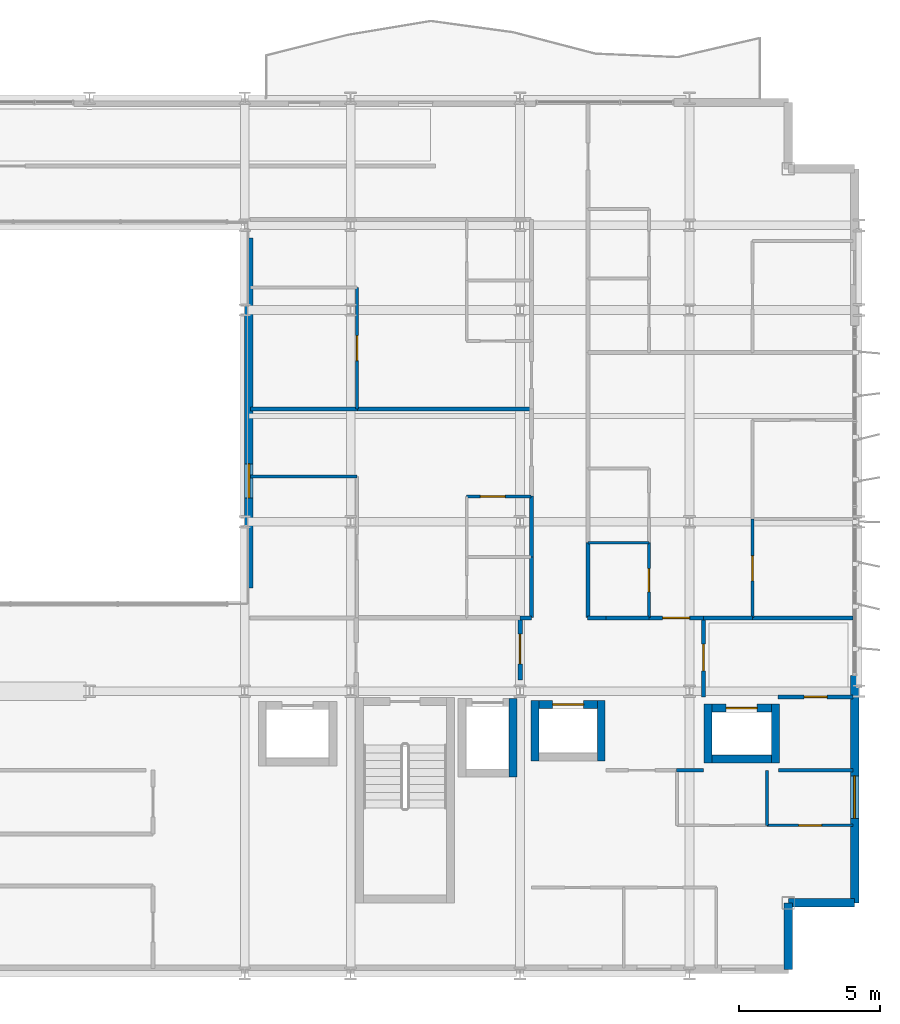
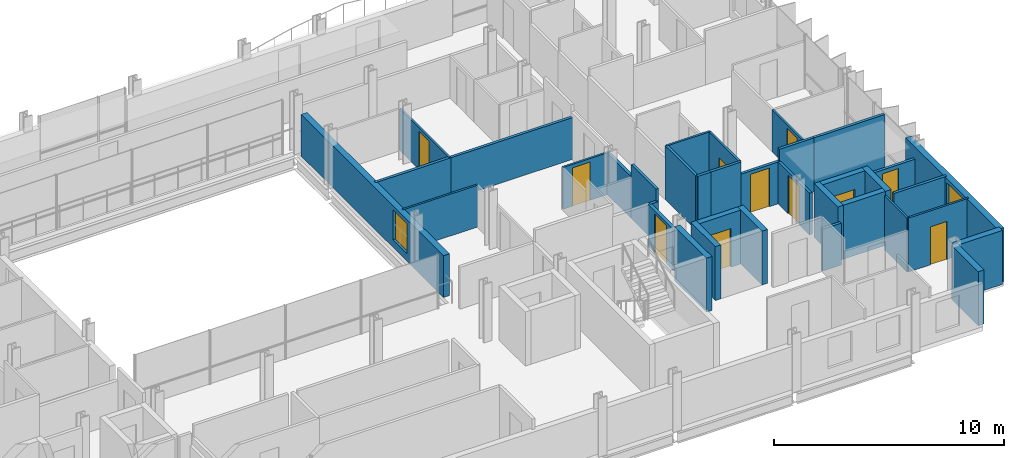
# One storey, part 31 of 38: 36 walls, 11 doors, 2 windows, 13 openings.
"""IFC4 building model written with IfcOpenShell, lengths in metres."""

from ifc_helpers import new_model, si_unit, direction, frame, frame_2d, origin, place, context, subcontext, project, spatial, rectangle, extrude, material, layer, layer_set, type_object, element, fill, save


model = new_model("IFC4")

# Units and contexts
model_context = context("Model", 3, precision=1e-05, world=origin(), true_north=direction((0.0, 1.0)))
body_context = subcontext(model_context, "Body", "Model", "MODEL_VIEW")
ifc_project = project(units=[si_unit("LENGTHUNIT", "METRE"), si_unit("AREAUNIT", "SQUARE_METRE"), si_unit("VOLUMEUNIT", "CUBIC_METRE"), si_unit("PLANEANGLEUNIT", "RADIAN"), si_unit("MASSUNIT", "GRAM", prefix="KILO")], contexts=[model_context])

# Site, building, storey
site_placement = place(None, origin())
site = spatial("IfcSite", under=ifc_project, at=site_placement, CompositionType="ELEMENT")
building_placement = place(site_placement, origin())
building = spatial("IfcBuilding", under=site, at=building_placement, Name="Brevholm Reach", CompositionType="ELEMENT")
storey_placement = place(building_placement, frame((0.0, 0.0, 65.199951171875)))
storey = spatial("IfcBuildingStorey", under=building, at=storey_placement, Name="L18", CompositionType="ELEMENT", Elevation=65.199951171875)

# Walls
ifc_material_1 = material(Name="Concrete C50/60", Category="concrete")
ifc_layer_1 = layer(ifc_material_1, 0.280029296875)
ifc_layer_set_1 = layer_set([ifc_layer_1], Name="Concrete C50/60")
wall_type_1 = type_object("IfcWallType", Name="WAL-COR-280", PredefinedType="SHEAR", material=ifc_layer_set_1)
wall_1_placement = place(storey_placement, frame((47.75, 6.9599609375, 0.0), z_axis=(0.0, 0.0, 1.0), x_axis=(0.0, 1.0, 0.0)))
element("IfcWall", 1, at=wall_1_placement, inside=storey, type_object=wall_type_1, Name="L18 Lift FFL-2 Shaft Wall E", PredefinedType="SHEAR", context=body_context, shape_type="SweptSolid", body=[
    extrude(rectangle(XDim=2.780029296875, YDim=0.280029296875, at=frame_2d((1.39013671875, 0.0))), origin(), (0.0, 0.0, 1.0), 2.8701171875),
])
for number, where, z_axis, x_axis, name in (
    (2, (48.52490234375, 7.534912109375, 0.0), (0.0, 0.0, 1.0), (0.0, 1.0, 0.0), "L18 Lift PL-L1 Shaft Wall W"),
    (3, (50.875, 7.534912109375, 0.0), (0.0, 0.0, 1.0), (0.0, 1.0, 0.0), "L18 Lift PL-L1 Shaft Wall E"),
):
    element("IfcWall", number, at=place(storey_placement, frame(where, z_axis=z_axis, x_axis=x_axis)), inside=storey, type_object=wall_type_1, Name=name, PredefinedType="SHEAR", context=body_context, shape_type="SweptSolid", body=[
        extrude(rectangle(XDim=2.130126953125, YDim=0.280029296875, at=frame_2d((1.06494140625, 0.0))), origin(), (0.0, 0.0, 1.0), 2.8701171875),
    ])

# Wall, opening, door
wall_2_placement = place(storey_placement, frame((48.6650390625, 9.52490234375, 0.0), z_axis=(0.0, 0.0, 1.0), x_axis=(1.0, 0.0, 0.0)))
wall_2 = element("IfcWall", 4, at=wall_2_placement, inside=storey, type_object=wall_type_1, Name="L18 Lift PL-L1 Shaft Wall N", PredefinedType="SHEAR", context=body_context, shape_type="SweptSolid", body=[
    extrude(rectangle(XDim=2.070068359375, YDim=0.280029296875, at=frame_2d((1.03515625, 0.0))), origin(), (0.0, 0.0, 1.0), 2.8701171875),
])
opening_1_placement = place(wall_2_placement, frame((0.485107421875, 0.0, 0.0)))
opening_1 = element("IfcOpeningElement", 5, at=opening_1_placement, cuts=wall_2, Name="Opening LD-PL-L1", PredefinedType="OPENING", context=body_context, shape_type="SweptSolid", body=[
    extrude(rectangle(XDim=1.10009765625, YDim=2.06005859375, at=frame_2d((0.550048828125, 1.030029296875))), frame((0.0, 0.14990234375, 0.0), z_axis=(0.0, -1.0, 0.0), x_axis=(1.0, 0.0, 0.0)), (0.0, 0.0, 1.0), 0.300048828125),
])
ifc_material_2 = material(Name="Brushed Stainless Steel Fire-Rated Sliding Lift Door", Category="steel")
door_type_1 = type_object("IfcDoorType", Name="DOR-LFT-1100", OperationType="NOTDEFINED", PredefinedType="DOOR", material=ifc_material_2)
door_1_placement = place(opening_1_placement, origin())
door_1 = element("IfcDoor", 6, at=door_1_placement, inside=storey, type_object=door_type_1, Name="L18 Lift PL-L1 Sliding Landing Door", OperationType="SLIDING_TO_RIGHT", OverallHeight=2.06005859375, OverallWidth=1.10009765625, PredefinedType="DOOR", context=body_context, shape_type="SweptSolid", body=[
    extrude(rectangle(XDim=1.10009765625, YDim=2.06005859375, at=frame_2d((0.550048828125, 1.030029296875))), frame((0.0, 0.02490234375, 0.0), z_axis=(0.0, -1.0, 0.0), x_axis=(1.0, 0.0, 0.0)), (0.0, 0.0, 1.0), 0.050048828125),
])
fill(opening_1, door_1)

# Walls
for number, where, z_axis, x_axis, name in (
    (7, (54.64990234375, 7.4599609375, 0.0), (0.0, 0.0, 1.0), (0.0, 1.0, 0.0), "L18 Lift PL-L2 Shaft Wall W"),
    (8, (57.050048828125, 7.4599609375, 0.0), (0.0, 0.0, 1.0), (0.0, 1.0, 0.0), "L18 Lift PL-L2 Shaft Wall E"),
):
    element("IfcWall", number, at=place(storey_placement, frame(where, z_axis=z_axis, x_axis=x_axis)), inside=storey, type_object=wall_type_1, Name=name, PredefinedType="SHEAR", context=body_context, shape_type="SweptSolid", body=[
        extrude(rectangle(XDim=2.080078125, YDim=0.280029296875, at=frame_2d((1.0400390625, 0.0))), origin(), (0.0, 0.0, 1.0), 2.8701171875),
    ])
wall_3_placement = place(storey_placement, frame((54.7900390625, 7.60009765625, 0.0), z_axis=(0.0, 0.0, 1.0), x_axis=(1.0, 0.0, 0.0)))
element("IfcWall", 9, at=wall_3_placement, inside=storey, type_object=wall_type_1, Name="L18 Lift PL-L2 Shaft Wall S", PredefinedType="SHEAR", context=body_context, shape_type="SweptSolid", body=[
    extrude(rectangle(XDim=2.119873046875, YDim=0.280029296875, at=frame_2d((1.06005859375, 0.0))), origin(), (0.0, 0.0, 1.0), 2.8701171875),
])

# Wall, opening, door
wall_4_placement = place(storey_placement, frame((54.7900390625, 9.39990234375, 0.0), z_axis=(0.0, 0.0, 1.0), x_axis=(1.0, 0.0, 0.0)))
wall_4 = element("IfcWall", 10, at=wall_4_placement, inside=storey, type_object=wall_type_1, Name="L18 Lift PL-L2 Shaft Wall N", PredefinedType="SHEAR", context=body_context, shape_type="SweptSolid", body=[
    extrude(rectangle(XDim=2.119873046875, YDim=0.280029296875, at=frame_2d((1.06005859375, 0.0))), origin(), (0.0, 0.0, 1.0), 2.8701171875),
])
opening_2_placement = place(wall_4_placement, frame((0.510009765625, 0.0, 0.0)))
opening_2 = element("IfcOpeningElement", 11, at=opening_2_placement, cuts=wall_4, Name="Opening LD-PL-L2", PredefinedType="OPENING", context=body_context, shape_type="SweptSolid", body=[
    extrude(rectangle(XDim=1.10009765625, YDim=2.06005859375, at=frame_2d((0.550048828125, 1.030029296875))), frame((0.0, 0.14990234375, 0.0), z_axis=(0.0, -1.0, 0.0), x_axis=(1.0, 0.0, 0.0)), (0.0, 0.0, 1.0), 0.300048828125),
])
door_2_placement = place(opening_2_placement, origin())
door_2 = element("IfcDoor", 12, at=door_2_placement, inside=storey, type_object=door_type_1, Name="L18 Lift PL-L2 Sliding Landing Door", OperationType="SLIDING_TO_LEFT", OverallHeight=2.06005859375, OverallWidth=1.10009765625, PredefinedType="DOOR", context=body_context, shape_type="SweptSolid", body=[
    extrude(rectangle(XDim=1.10009765625, YDim=2.06005859375, at=frame_2d((0.550048828125, 1.030029296875))), frame((0.0, 0.02490234375, 0.0), z_axis=(0.0, -1.0, 0.0), x_axis=(1.0, 0.0, 0.0)), (0.0, 0.0, 1.0), 0.050048828125),
])
fill(opening_2, door_2)

# Walls
ifc_material_3 = material(Name="Concrete C40/50", Category="concrete")
ifc_layer_2 = layer(ifc_material_3, 0.300048828125)
ifc_layer_set_2 = layer_set([ifc_layer_2], Name="Concrete C40/50")
wall_type_2 = type_object("IfcWallType", Name="WAL-EXT-300", PredefinedType="STANDARD", material=ifc_layer_set_2)
for number, where, z_axis, x_axis, name in (
    (13, (57.5, 0.14990234375, 0.0), (0.0, 0.0, 1.0), (0.0, 1.0, 0.0), "L18 Facade Wall WAL-L18-CSE1"),
    (14, (57.5, 2.5, 0.0), (0.0, 0.0, 1.0), (1.0, 0.0, 0.0), "L18 Facade Wall WAL-L18-CSE2"),
):
    element("IfcWall", number, at=place(storey_placement, frame(where, z_axis=z_axis, x_axis=x_axis)), inside=storey, type_object=wall_type_2, Name=name, PredefinedType="STANDARD", context=body_context, shape_type="SweptSolid", body=[
        extrude(rectangle(XDim=2.35009765625, YDim=0.300048828125, at=frame_2d((1.175048828125, 0.0))), origin(), (0.0, 0.0, 1.0), 2.8701171875),
    ])

# Wall, opening, window
wall_5_placement = place(storey_placement, frame((59.85009765625, 2.5, 0.0), z_axis=(0.0, 0.0, 1.0), x_axis=(0.0, 1.0, 0.0)))
wall_5 = element("IfcWall", 15, at=wall_5_placement, inside=storey, type_object=wall_type_2, Name="L18 Facade Wall WAL-L18-E-S", PredefinedType="STANDARD", context=body_context, shape_type="SweptSolid", body=[
    extrude(rectangle(XDim=8.050048828125, YDim=0.300048828125, at=frame_2d((4.02490234375, 0.0))), origin(), (0.0, 0.0, 1.0), 2.8701171875),
])
opening_3_placement = place(wall_5_placement, frame((3.0, 0.0, 0.85009765625)))
opening_3 = element("IfcOpeningElement", 16, at=opening_3_placement, cuts=wall_5, Name="Opening WN-05", PredefinedType="OPENING", context=body_context, shape_type="SweptSolid", body=[
    extrude(rectangle(XDim=1.5, YDim=1.800048828125, at=frame_2d((0.75, 0.89990234375))), frame((0.0, 0.159912109375, 0.0), z_axis=(0.0, -1.0, 0.0), x_axis=(1.0, 0.0, 0.0)), (0.0, 0.0, 1.0), 0.320068359375),
])
ifc_material_4 = material(Name="Dark Anodised Aluminium and Solar-Control IGU Glass", Category="aluminium")
window_type_1 = type_object("IfcWindowType", Name="WIN-RES-1500", PartitioningType="SINGLE_PANEL", PredefinedType="WINDOW", material=ifc_material_4)
window_1_placement = place(opening_3_placement, origin())
window_1 = element("IfcWindow", 17, at=window_1_placement, inside=storey, type_object=window_type_1, Name="L18 Window WIN-L18-ES-1", OverallHeight=1.800048828125, OverallWidth=1.5, PartitioningType="SINGLE_PANEL", PredefinedType="WINDOW", context=body_context, shape_type="SweptSolid", body=[
    extrude(rectangle(XDim=1.5, YDim=1.800048828125, at=frame_2d((0.75, 0.89990234375))), frame((0.0, 0.030029296875, 0.0), z_axis=(0.0, -1.0, 0.0), x_axis=(1.0, 0.0, 0.0)), (0.0, 0.0, 1.0), 0.06005859375),
])
fill(opening_3, window_1)

wall_6_placement = place(storey_placement, frame((38.39990234375, 13.64990234375, 0.0), z_axis=(0.0, 0.0, 1.0), x_axis=(0.0, 1.0, 0.0)))
wall_6 = element("IfcWall", 18, at=wall_6_placement, inside=storey, type_object=wall_type_2, Name="L18 Facade Wall WAL-L18-AT-E", PredefinedType="STANDARD", context=body_context, shape_type="SweptSolid", body=[
    extrude(rectangle(XDim=12.400146484375, YDim=0.300048828125, at=frame_2d((6.2001953125, 0.0))), origin(), (0.0, 0.0, 1.0), 2.224853515625),
])
opening_4_placement = place(wall_6_placement, frame((3.199951171875, 0.0, 0.405029296875)))
opening_4 = element("IfcOpeningElement", 19, at=opening_4_placement, cuts=wall_6, Name="Opening WN-08", PredefinedType="OPENING", context=body_context, shape_type="SweptSolid", body=[
    extrude(rectangle(XDim=1.199951171875, YDim=1.60009765625, at=frame_2d((0.60009765625, 0.800048828125))), frame((0.0, 0.159912109375, 0.0), z_axis=(0.0, -1.0, 0.0), x_axis=(1.0, 0.0, 0.0)), (0.0, 0.0, 1.0), 0.320068359375),
])
ifc_material_5 = material(Name="Dark Anodised Aluminium and Solar-Control IGU Glass", Category="aluminium")
window_type_2 = type_object("IfcWindowType", Name="WIN-RES-1200", PartitioningType="SINGLE_PANEL", PredefinedType="WINDOW", material=ifc_material_5)
window_2_placement = place(opening_4_placement, origin())
window_2 = element("IfcWindow", 20, at=window_2_placement, inside=storey, type_object=window_type_2, Name="L18 Window WIN-L18-AT-E1", OverallHeight=1.60009765625, OverallWidth=1.199951171875, PartitioningType="SINGLE_PANEL", PredefinedType="WINDOW", context=body_context, shape_type="SweptSolid", body=[
    extrude(rectangle(XDim=1.199951171875, YDim=1.60009765625, at=frame_2d((0.60009765625, 0.800048828125))), frame((0.0, 0.030029296875, 0.0), z_axis=(0.0, -1.0, 0.0), x_axis=(1.0, 0.0, 0.0)), (0.0, 0.0, 1.0), 0.06005859375),
])
fill(opening_4, window_2)

# Wall
ifc_material_6 = material(Name="Moisture-Resistant Acoustic Gypsum Stud Partition 100 mm", Category="gypsum")
ifc_layer_3 = layer(ifc_material_6, 0.10009765625)
ifc_layer_set_3 = layer_set([ifc_layer_3], Name="Moisture-Resistant Acoustic Gypsum Stud Partition 100 mm")
wall_type_3 = type_object("IfcWallType", Name="WAL-PRT-100", PredefinedType="PARTITIONING", material=ifc_layer_set_3)
wall_7_placement = place(storey_placement, frame((56.75, 5.25, 0.0), z_axis=(0.0, 0.0, 1.0), x_axis=(0.0, 1.0, 0.0)))
element("IfcWall", 21, at=wall_7_placement, inside=storey, type_object=wall_type_3, Name="L18 Internal Partition 081", PredefinedType="PARTITIONING", context=body_context, shape_type="SweptSolid", body=[
    extrude(rectangle(XDim=1.949951171875, YDim=0.10009765625, at=frame_2d((0.97509765625, 0.0))), origin(), (0.0, 0.0, 1.0), 2.8701171875),
])

# Wall, opening, door
wall_8_placement = place(storey_placement, frame((56.75, 5.25, 0.0), z_axis=(0.0, 0.0, 1.0), x_axis=(1.0, 0.0, 0.0)))
wall_8 = element("IfcWall", 22, at=wall_8_placement, inside=storey, type_object=wall_type_3, Name="L18 Internal Partition 082", PredefinedType="PARTITIONING", context=body_context, shape_type="SweptSolid", body=[
    extrude(rectangle(XDim=3.050048828125, YDim=0.10009765625, at=frame_2d((1.52490234375, 0.0))), origin(), (0.0, 0.0, 1.0), 2.8701171875),
])
opening_5_placement = place(wall_8_placement, frame((1.114990234375, 0.0, 0.0)))
opening_5 = element("IfcOpeningElement", 23, at=opening_5_placement, cuts=wall_8, Name="Opening ID-03", PredefinedType="OPENING", context=body_context, shape_type="SweptSolid", body=[
    extrude(rectangle(XDim=0.820068359375, YDim=2.02001953125, at=frame_2d((0.41015625, 1.010009765625))), frame((0.0, 0.06005859375, 0.0), z_axis=(0.0, -1.0, 0.0), x_axis=(1.0, 0.0, 0.0)), (0.0, 0.0, 1.0), 0.1201171875),
])
ifc_material_7 = material(Name="Moisture-Resistant Painted Timber Internal Bathroom Door", Category="wood")
door_type_2 = type_object("IfcDoorType", Name="DOR-BATH-820", OperationType="NOTDEFINED", PredefinedType="DOOR", material=ifc_material_7)
door_3_placement = place(opening_5_placement, origin())
door_3 = element("IfcDoor", 24, at=door_3_placement, inside=storey, type_object=door_type_2, Name="L18 Internal Door 028", OperationType="SINGLE_SWING_RIGHT", OverallHeight=2.02001953125, OverallWidth=0.820068359375, PredefinedType="DOOR", context=body_context, shape_type="SweptSolid", body=[
    extrude(rectangle(XDim=0.820068359375, YDim=2.02001953125, at=frame_2d((0.41015625, 1.010009765625))), frame((0.0, 0.02490234375, 0.0), z_axis=(0.0, -1.0, 0.0), x_axis=(1.0, 0.0, 0.0)), (0.0, 0.0, 1.0), 0.050048828125),
])
fill(opening_5, door_3)

wall_9_placement = place(storey_placement, frame((46.112060546875, 16.89990234375, 0.0), z_axis=(0.0, 0.0, 1.0), x_axis=(1.0, 0.0, 0.0)))
wall_9 = element("IfcWall", 25, at=wall_9_placement, inside=storey, type_object=wall_type_3, Name="L18 Internal Partition 124", PredefinedType="PARTITIONING", context=body_context, shape_type="SweptSolid", body=[
    extrude(rectangle(XDim=2.283935546875, YDim=0.10009765625, at=frame_2d((1.14208984375, 0.0))), origin(), (0.0, 0.0, 1.0), 2.224853515625),
])
opening_6_placement = place(wall_9_placement, frame((0.48193359375, 0.0, 0.0)))
opening_6 = element("IfcOpeningElement", 26, at=opening_6_placement, cuts=wall_9, Name="Opening ID-01", PredefinedType="OPENING", context=body_context, shape_type="SweptSolid", body=[
    extrude(rectangle(XDim=0.8798828125, YDim=2.0400390625, at=frame_2d((0.43994140625, 1.02001953125))), frame((0.0, 0.06005859375, 0.0), z_axis=(0.0, -1.0, 0.0), x_axis=(1.0, 0.0, 0.0)), (0.0, 0.0, 1.0), 0.1201171875),
])
ifc_material_8 = material(Name="Lacquered Ash Solid-Core Acoustic Internal Door", Category="timber")
door_type_3 = type_object("IfcDoorType", Name="DOR-INT-880", OperationType="NOTDEFINED", PredefinedType="DOOR", material=ifc_material_8)
door_4_placement = place(opening_6_placement, origin())
door_4 = element("IfcDoor", 27, at=door_4_placement, inside=storey, type_object=door_type_3, Name="L18 Internal Door 048", OperationType="SINGLE_SWING_RIGHT", OverallHeight=2.0400390625, OverallWidth=0.8798828125, PredefinedType="DOOR", context=body_context, shape_type="SweptSolid", body=[
    extrude(rectangle(XDim=0.8798828125, YDim=2.0400390625, at=frame_2d((0.43994140625, 1.02001953125))), frame((0.0, 0.02490234375, 0.0), z_axis=(0.0, -1.0, 0.0), x_axis=(1.0, 0.0, 0.0)), (0.0, 0.0, 1.0), 0.050048828125),
])
fill(opening_6, door_4)

# Wall
wall_10_placement = place(storey_placement, frame((38.449951171875, 17.60009765625, 0.0), z_axis=(0.0, 0.0, 1.0), x_axis=(1.0, 0.0, 0.0)))
element("IfcWall", 28, at=wall_10_placement, inside=storey, type_object=wall_type_3, Name="L18 Internal Partition 127", PredefinedType="PARTITIONING", context=body_context, shape_type="SweptSolid", body=[
    extrude(rectangle(XDim=3.781005859375, YDim=0.10009765625, at=frame_2d((1.890625, 0.0))), origin(), (0.0, 0.0, 1.0), 2.224853515625),
])

# Wall, opening, door
wall_11_placement = place(storey_placement, frame((42.23095703125, 20.00390625, 0.0), z_axis=(0.0, 0.0, 1.0), x_axis=(0.0, 1.0, 0.0)))
wall_11 = element("IfcWall", 29, at=wall_11_placement, inside=storey, type_object=wall_type_3, Name="L18 Internal Partition 134", PredefinedType="PARTITIONING", context=body_context, shape_type="SweptSolid", body=[
    extrude(rectangle(XDim=4.296142578125, YDim=0.10009765625, at=frame_2d((2.14794921875, 0.0))), origin(), (0.0, 0.0, 1.0), 2.224853515625),
])
opening_7_placement = place(wall_11_placement, frame((1.7080078125, 0.0, 0.0)))
opening_7 = element("IfcOpeningElement", 30, at=opening_7_placement, cuts=wall_11, Name="Opening ID-01", PredefinedType="OPENING", context=body_context, shape_type="SweptSolid", body=[
    extrude(rectangle(XDim=0.8798828125, YDim=2.0400390625, at=frame_2d((0.43994140625, 1.02001953125))), frame((0.0, 0.06005859375, 0.0), z_axis=(0.0, -1.0, 0.0), x_axis=(1.0, 0.0, 0.0)), (0.0, 0.0, 1.0), 0.1201171875),
])
door_5_placement = place(opening_7_placement, origin())
door_5 = element("IfcDoor", 31, at=door_5_placement, inside=storey, type_object=door_type_3, Name="L18 Internal Door 052", OperationType="SINGLE_SWING_RIGHT", OverallHeight=2.0400390625, OverallWidth=0.8798828125, PredefinedType="DOOR", context=body_context, shape_type="SweptSolid", body=[
    extrude(rectangle(XDim=0.8798828125, YDim=2.0400390625, at=frame_2d((0.43994140625, 1.02001953125))), frame((0.0, 0.02490234375, 0.0), z_axis=(0.0, -1.0, 0.0), x_axis=(1.0, 0.0, 0.0)), (0.0, 0.0, 1.0), 0.050048828125),
])
fill(opening_7, door_5)

# Wall
wall_12_placement = place(storey_placement, frame((50.404052734375, 15.258056640625, 0.0), z_axis=(0.0, 0.0, 1.0), x_axis=(1.0, 0.0, 0.0)))
element("IfcWall", 32, at=wall_12_placement, inside=storey, type_object=wall_type_3, Name="L18 Internal Partition 136", PredefinedType="PARTITIONING", context=body_context, shape_type="SweptSolid", body=[
    extrude(rectangle(XDim=2.157958984375, YDim=0.10009765625, at=frame_2d((1.0791015625, 0.0))), origin(), (0.0, 0.0, 1.0), 2.8701171875),
])

# Wall, opening, door
wall_13_placement = place(storey_placement, frame((52.56201171875, 12.60400390625, 0.0), z_axis=(0.0, 0.0, 1.0), x_axis=(0.0, 1.0, 0.0)))
wall_13 = element("IfcWall", 33, at=wall_13_placement, inside=storey, type_object=wall_type_3, Name="L18 Internal Partition 137", PredefinedType="PARTITIONING", context=body_context, shape_type="SweptSolid", body=[
    extrude(rectangle(XDim=2.654052734375, YDim=0.10009765625, at=frame_2d((1.3271484375, 0.0))), origin(), (0.0, 0.0, 1.0), 2.8701171875),
])
opening_8_placement = place(wall_13_placement, frame((0.9169921875, 0.0, 0.0)))
opening_8 = element("IfcOpeningElement", 34, at=opening_8_placement, cuts=wall_13, Name="Opening ID-03", PredefinedType="OPENING", context=body_context, shape_type="SweptSolid", body=[
    extrude(rectangle(XDim=0.820068359375, YDim=2.02001953125, at=frame_2d((0.41015625, 1.010009765625))), frame((0.0, 0.06005859375, 0.0), z_axis=(0.0, -1.0, 0.0), x_axis=(1.0, 0.0, 0.0)), (0.0, 0.0, 1.0), 0.1201171875),
])
door_6_placement = place(opening_8_placement, origin())
door_6 = element("IfcDoor", 35, at=door_6_placement, inside=storey, type_object=door_type_2, Name="L18 Internal Door 053", OperationType="SINGLE_SWING_LEFT", OverallHeight=2.02001953125, OverallWidth=0.820068359375, PredefinedType="DOOR", context=body_context, shape_type="SweptSolid", body=[
    extrude(rectangle(XDim=0.820068359375, YDim=2.02001953125, at=frame_2d((0.41015625, 1.010009765625))), frame((0.0, 0.02490234375, 0.0), z_axis=(0.0, -1.0, 0.0), x_axis=(1.0, 0.0, 0.0)), (0.0, 0.0, 1.0), 0.050048828125),
])
fill(opening_8, door_6)

wall_14_placement = place(storey_placement, frame((56.22802734375, 12.60400390625, 0.0), z_axis=(0.0, 0.0, 1.0), x_axis=(0.0, 1.0, 0.0)))
wall_14 = element("IfcWall", 36, at=wall_14_placement, inside=storey, type_object=wall_type_3, Name="L18 Internal Partition 141", PredefinedType="PARTITIONING", context=body_context, shape_type="SweptSolid", body=[
    extrude(rectangle(XDim=3.49609375, YDim=0.10009765625, at=frame_2d((1.748046875, 0.0))), origin(), (0.0, 0.0, 1.0), 2.224853515625),
])
opening_9_placement = place(wall_14_placement, frame((1.30810546875, 0.0, 0.0)))
opening_9 = element("IfcOpeningElement", 37, at=opening_9_placement, cuts=wall_14, Name="Opening ID-01", PredefinedType="OPENING", context=body_context, shape_type="SweptSolid", body=[
    extrude(rectangle(XDim=0.8798828125, YDim=2.0400390625, at=frame_2d((0.43994140625, 1.02001953125))), frame((0.0, 0.06005859375, 0.0), z_axis=(0.0, -1.0, 0.0), x_axis=(1.0, 0.0, 0.0)), (0.0, 0.0, 1.0), 0.1201171875),
])
door_7_placement = place(opening_9_placement, origin())
door_7 = element("IfcDoor", 38, at=door_7_placement, inside=storey, type_object=door_type_3, Name="L18 Internal Door 055", OperationType="SINGLE_SWING_LEFT", OverallHeight=2.0400390625, OverallWidth=0.8798828125, PredefinedType="DOOR", context=body_context, shape_type="SweptSolid", body=[
    extrude(rectangle(XDim=0.8798828125, YDim=2.0400390625, at=frame_2d((0.43994140625, 1.02001953125))), frame((0.0, 0.02490234375, 0.0), z_axis=(0.0, -1.0, 0.0), x_axis=(1.0, 0.0, 0.0)), (0.0, 0.0, 1.0), 0.050048828125),
])
fill(opening_9, door_7)

ifc_material_9 = material(Name="Twin-Stud Acoustic Fire-Rated Gypsum Partition 140 mm", Category="gypsum")
ifc_layer_4 = layer(ifc_material_9, 0.139892578125)
ifc_layer_set_4 = layer_set([ifc_layer_4], Name="Twin-Stud Acoustic Fire-Rated Gypsum Partition 140 mm")
wall_type_4 = type_object("IfcWallType", Name="WAL-PRT-140", PredefinedType="PARTITIONING", material=ifc_layer_set_4)
wall_15_placement = place(storey_placement, frame((54.5, 9.788818359375, 0.0), z_axis=(0.0, 0.0, 1.0), x_axis=(0.0, 1.0, 0.0)))
wall_15 = element("IfcWall", 39, at=wall_15_placement, inside=storey, type_object=wall_type_4, Name="L18 Internal Partition 013", PredefinedType="PARTITIONING", context=body_context, shape_type="SweptSolid", body=[
    extrude(rectangle(XDim=2.811279296875, YDim=0.139892578125, at=frame_2d((1.40576171875, 0.0))), origin(), (0.0, 0.0, 1.0), 2.224853515625),
])
opening_10_placement = place(wall_15_placement, frame((0.9306640625, 0.0, 0.0)))
opening_10 = element("IfcOpeningElement", 40, at=opening_10_placement, cuts=wall_15, Name="Opening ID-30", PredefinedType="OPENING", context=body_context, shape_type="SweptSolid", body=[
    extrude(rectangle(XDim=0.949951171875, YDim=2.050048828125, at=frame_2d((0.47509765625, 1.02490234375))), frame((0.0, 0.079833984375, 0.0), z_axis=(0.0, -1.0, 0.0), x_axis=(1.0, 0.0, 0.0)), (0.0, 0.0, 1.0), 0.159912109375),
])
ifc_material_10 = material(Name="European Oak Veneered Solid-Core Fire Entrance Door", Category="timber")
door_type_4 = type_object("IfcDoorType", Name="DOR-FLT-FD30S", OperationType="NOTDEFINED", PredefinedType="DOOR", material=ifc_material_10)
door_8_placement = place(opening_10_placement, origin())
door_8 = element("IfcDoor", 41, at=door_8_placement, inside=storey, type_object=door_type_4, Name="L18 Internal Door 008", OperationType="SINGLE_SWING_RIGHT", OverallHeight=2.050048828125, OverallWidth=0.949951171875, PredefinedType="DOOR", context=body_context, shape_type="SweptSolid", body=[
    extrude(rectangle(XDim=0.949951171875, YDim=2.050048828125, at=frame_2d((0.47509765625, 1.02490234375))), frame((0.0, 0.02490234375, 0.0), z_axis=(0.0, -1.0, 0.0), x_axis=(1.0, 0.0, 0.0)), (0.0, 0.0, 1.0), 0.050048828125),
])
fill(opening_10, door_8)

# Walls
wall_16_placement = place(storey_placement, frame((53.546630859375, 7.199951171875, 0.0), z_axis=(0.0, 0.0, 1.0), x_axis=(1.0, 0.0, 0.0)))
element("IfcWall", 42, at=wall_16_placement, inside=storey, type_object=wall_type_4, Name="L18 Internal Partition 014", PredefinedType="PARTITIONING", context=body_context, shape_type="SweptSolid", body=[
    extrude(rectangle(XDim=0.953369140625, YDim=0.139892578125, at=frame_2d((0.4765625, 0.0))), origin(), (0.0, 0.0, 1.0), 2.224853515625),
])
wall_17_placement = place(storey_placement, frame((51.050048828125, 12.60009765625, 0.0), z_axis=(0.0, 0.0, 1.0), x_axis=(1.0, 0.0, 0.0)))
element("IfcWall", 43, at=wall_17_placement, inside=storey, type_object=wall_type_4, Name="L18 Internal Partition 016", PredefinedType="PARTITIONING", context=body_context, shape_type="SweptSolid", body=[
    extrude(rectangle(XDim=1.523193359375, YDim=0.139892578125, at=frame_2d((0.76171875, 0.0))), origin(), (0.0, 0.0, 1.0), 2.8701171875),
])

# Wall, opening, door
wall_18_placement = place(storey_placement, frame((52.5546875, 12.60009765625, 0.0), z_axis=(0.0, 0.0, 1.0), x_axis=(1.0, 0.0, 0.0)))
wall_18 = element("IfcWall", 44, at=wall_18_placement, inside=storey, type_object=wall_type_4, Name="L18 Internal Partition 017", PredefinedType="PARTITIONING", context=body_context, shape_type="SweptSolid", body=[
    extrude(rectangle(XDim=1.9453125, YDim=0.139892578125, at=frame_2d((0.97265625, 0.0))), origin(), (0.0, 0.0, 1.0), 2.224853515625),
])
opening_11_placement = place(wall_18_placement, frame((0.497802734375, 0.0, 0.0)))
opening_11 = element("IfcOpeningElement", 45, at=opening_11_placement, cuts=wall_18, Name="Opening ID-30", PredefinedType="OPENING", context=body_context, shape_type="SweptSolid", body=[
    extrude(rectangle(XDim=0.949951171875, YDim=2.050048828125, at=frame_2d((0.47509765625, 1.02490234375))), frame((0.0, 0.079833984375, 0.0), z_axis=(0.0, -1.0, 0.0), x_axis=(1.0, 0.0, 0.0)), (0.0, 0.0, 1.0), 0.159912109375),
])
door_9_placement = place(opening_11_placement, origin())
door_9 = element("IfcDoor", 46, at=door_9_placement, inside=storey, type_object=door_type_4, Name="L18 Internal Door 010", OperationType="SINGLE_SWING_RIGHT", OverallHeight=2.050048828125, OverallWidth=0.949951171875, PredefinedType="DOOR", context=body_context, shape_type="SweptSolid", body=[
    extrude(rectangle(XDim=0.949951171875, YDim=2.050048828125, at=frame_2d((0.47509765625, 1.02490234375))), frame((0.0, 0.02490234375, 0.0), z_axis=(0.0, -1.0, 0.0), x_axis=(1.0, 0.0, 0.0)), (0.0, 0.0, 1.0), 0.050048828125),
])
fill(opening_11, door_9)

# Walls
wall_19_placement = place(storey_placement, frame((48.00390625, 12.60009765625, 0.0), z_axis=(0.0, 0.0, 1.0), x_axis=(1.0, 0.0, 0.0)))
element("IfcWall", 47, at=wall_19_placement, inside=storey, type_object=wall_type_4, Name="L18 Internal Partition 035", PredefinedType="PARTITIONING", context=body_context, shape_type="SweptSolid", body=[
    extrude(rectangle(XDim=0.4033203125, YDim=0.139892578125, at=frame_2d((0.20166015625, 0.0))), origin(), (0.0, 0.0, 1.0), 2.224853515625),
])
wall_20_placement = place(storey_placement, frame((50.392578125, 12.60009765625, 0.0), z_axis=(0.0, 0.0, 1.0), x_axis=(1.0, 0.0, 0.0)))
element("IfcWall", 48, at=wall_20_placement, inside=storey, type_object=wall_type_4, Name="L18 Internal Partition 036", PredefinedType="PARTITIONING", context=body_context, shape_type="SweptSolid", body=[
    extrude(rectangle(XDim=0.6533203125, YDim=0.139892578125, at=frame_2d((0.32666015625, 0.0))), origin(), (0.0, 0.0, 1.0), 2.8701171875),
])
wall_21_placement = place(storey_placement, frame((48.39990234375, 12.60400390625, 0.0), z_axis=(0.0, 0.0, 1.0), x_axis=(0.0, 1.0, 0.0)))
element("IfcWall", 49, at=wall_21_placement, inside=storey, type_object=wall_type_4, Name="L18 Internal Partition 047", PredefinedType="PARTITIONING", context=body_context, shape_type="SweptSolid", body=[
    extrude(rectangle(XDim=2.1572265625, YDim=0.139892578125, at=frame_2d((1.07861328125, 0.0))), origin(), (0.0, 0.0, 1.0), 2.8701171875),
])
wall_22_placement = place(storey_placement, frame((48.39990234375, 14.74267578125, 0.0), z_axis=(0.0, 0.0, 1.0), x_axis=(0.0, 1.0, 0.0)))
element("IfcWall", 50, at=wall_22_placement, inside=storey, type_object=wall_type_4, Name="L18 Internal Partition 048", PredefinedType="PARTITIONING", context=body_context, shape_type="SweptSolid", body=[
    extrude(rectangle(XDim=2.168701171875, YDim=0.139892578125, at=frame_2d((1.08447265625, 0.0))), origin(), (0.0, 0.0, 1.0), 2.224853515625),
])
wall_23_placement = place(storey_placement, frame((50.39990234375, 12.60400390625, 0.0), z_axis=(0.0, 0.0, 1.0), x_axis=(0.0, 1.0, 0.0)))
element("IfcWall", 51, at=wall_23_placement, inside=storey, type_object=wall_type_4, Name="L18 Internal Partition 053", PredefinedType="PARTITIONING", context=body_context, shape_type="SweptSolid", body=[
    extrude(rectangle(XDim=2.665283203125, YDim=0.139892578125, at=frame_2d((1.33251953125, 0.0))), origin(), (0.0, 0.0, 1.0), 2.8701171875),
])

# Wall, opening, door
wall_24_placement = place(storey_placement, frame((57.138671875, 9.800048828125, 0.0), z_axis=(0.0, 0.0, 1.0), x_axis=(1.0, 0.0, 0.0)))
wall_24 = element("IfcWall", 52, at=wall_24_placement, inside=storey, type_object=wall_type_4, Name="L18 Internal Partition 077", PredefinedType="PARTITIONING", context=body_context, shape_type="SweptSolid", body=[
    extrude(rectangle(XDim=2.661376953125, YDim=0.139892578125, at=frame_2d((1.33056640625, 0.0))), origin(), (0.0, 0.0, 1.0), 2.224853515625),
])
opening_12_placement = place(wall_24_placement, frame((0.920654296875, 0.0, 0.0)))
opening_12 = element("IfcOpeningElement", 53, at=opening_12_placement, cuts=wall_24, Name="Opening ID-02", PredefinedType="OPENING", context=body_context, shape_type="SweptSolid", body=[
    extrude(rectangle(XDim=0.820068359375, YDim=2.02001953125, at=frame_2d((0.41015625, 1.010009765625))), frame((0.0, 0.079833984375, 0.0), z_axis=(0.0, -1.0, 0.0), x_axis=(1.0, 0.0, 0.0)), (0.0, 0.0, 1.0), 0.159912109375),
])
ifc_material_11 = material(Name="Moisture-Resistant Painted Timber Fire-Rated Riser and Service Door", Category="wood")
door_type_5 = type_object("IfcDoorType", Name="DOR-SRV-820", OperationType="NOTDEFINED", PredefinedType="DOOR", material=ifc_material_11)
door_10_placement = place(opening_12_placement, origin())
door_10 = element("IfcDoor", 54, at=door_10_placement, inside=storey, type_object=door_type_5, Name="L18 Access Door 060", OperationType="SINGLE_SWING_RIGHT", OverallHeight=2.02001953125, OverallWidth=0.820068359375, PredefinedType="DOOR", context=body_context, shape_type="SweptSolid", body=[
    extrude(rectangle(XDim=0.820068359375, YDim=2.02001953125, at=frame_2d((0.41015625, 1.010009765625))), frame((0.0, 0.02490234375, 0.0), z_axis=(0.0, -1.0, 0.0), x_axis=(1.0, 0.0, 0.0)), (0.0, 0.0, 1.0), 0.050048828125),
])
fill(opening_12, door_10)

# Walls
wall_25_placement = place(storey_placement, frame((56.216796875, 12.60009765625, 0.0), z_axis=(0.0, 0.0, 1.0), x_axis=(1.0, 0.0, 0.0)))
element("IfcWall", 55, at=wall_25_placement, inside=storey, type_object=wall_type_4, Name="L18 Internal Partition 078", PredefinedType="PARTITIONING", context=body_context, shape_type="SweptSolid", body=[
    extrude(rectangle(XDim=3.583251953125, YDim=0.139892578125, at=frame_2d((1.79150390625, 0.0))), origin(), (0.0, 0.0, 1.0), 2.8701171875),
])
wall_26_placement = place(storey_placement, frame((54.50390625, 12.60009765625, 0.0), z_axis=(0.0, 0.0, 1.0), x_axis=(1.0, 0.0, 0.0)))
element("IfcWall", 56, at=wall_26_placement, inside=storey, type_object=wall_type_4, Name="L18 Internal Partition 079", PredefinedType="PARTITIONING", context=body_context, shape_type="SweptSolid", body=[
    extrude(rectangle(XDim=1.7314453125, YDim=0.139892578125, at=frame_2d((0.86572265625, 0.0))), origin(), (0.0, 0.0, 1.0), 2.8701171875),
])
wall_27_placement = place(storey_placement, frame((57.14990234375, 7.199951171875, 0.0), z_axis=(0.0, 0.0, 1.0), x_axis=(1.0, 0.0, 0.0)))
element("IfcWall", 57, at=wall_27_placement, inside=storey, type_object=wall_type_4, Name="L18 Internal Partition 080", PredefinedType="PARTITIONING", context=body_context, shape_type="SweptSolid", body=[
    extrude(rectangle(XDim=2.650146484375, YDim=0.139892578125, at=frame_2d((1.3251953125, 0.0))), origin(), (0.0, 0.0, 1.0), 2.8701171875),
])
wall_28_placement = place(storey_placement, frame((38.449951171875, 20.0, 0.0), z_axis=(0.0, 0.0, 1.0), x_axis=(1.0, 0.0, 0.0)))
element("IfcWall", 58, at=wall_28_placement, inside=storey, type_object=wall_type_4, Name="L18 Internal Partition 128", PredefinedType="PARTITIONING", context=body_context, shape_type="SweptSolid", body=[
    extrude(rectangle(XDim=3.792236328125, YDim=0.139892578125, at=frame_2d((1.89599609375, 0.0))), origin(), (0.0, 0.0, 1.0), 2.224853515625),
])
wall_29_placement = place(storey_placement, frame((42.2236328125, 20.0, 0.0), z_axis=(0.0, 0.0, 1.0), x_axis=(1.0, 0.0, 0.0)))
element("IfcWall", 59, at=wall_29_placement, inside=storey, type_object=wall_type_4, Name="L18 Internal Partition 129", PredefinedType="PARTITIONING", context=body_context, shape_type="SweptSolid", body=[
    extrude(rectangle(XDim=6.17236328125, YDim=0.139892578125, at=frame_2d((3.086181640625, 0.0))), origin(), (0.0, 0.0, 1.0), 2.224853515625),
])

# Wall, opening, door
ifc_material_12 = material(Name="Twin-Frame Fire-Rated Gypsum Board and Mineral Wool 160 mm", Category="gypsum")
ifc_layer_5 = layer(ifc_material_12, 0.159912109375)
ifc_layer_set_5 = layer_set([ifc_layer_5], Name="Twin-Frame Fire-Rated Gypsum Board and Mineral Wool 160 mm")
wall_type_5 = type_object("IfcWallType", Name="WAL-PRT-160", PredefinedType="PARTITIONING", material=ifc_layer_set_5)
wall_30_placement = place(storey_placement, frame((48.0, 10.388671875, 0.0), z_axis=(0.0, 0.0, 1.0), x_axis=(0.0, 1.0, 0.0)))
wall_30 = element("IfcWall", 60, at=wall_30_placement, inside=storey, type_object=wall_type_5, Name="L18 Internal Partition 025", PredefinedType="PARTITIONING", context=body_context, shape_type="SweptSolid", body=[
    extrude(rectangle(XDim=2.21142578125, YDim=0.159912109375, at=frame_2d((1.105712890625, 0.0))), origin(), (0.0, 0.0, 1.0), 2.224853515625),
])
opening_13_placement = place(wall_30_placement, frame((0.58056640625, 0.0, 0.0)))
opening_13 = element("IfcOpeningElement", 61, at=opening_13_placement, cuts=wall_30, Name="Opening FD-01", PredefinedType="OPENING", context=body_context, shape_type="SweptSolid", body=[
    extrude(rectangle(XDim=1.050048828125, YDim=2.06005859375, at=frame_2d((0.52490234375, 1.030029296875))), frame((0.0, 0.08984375, 0.0), z_axis=(0.0, -1.0, 0.0), x_axis=(1.0, 0.0, 0.0)), (0.0, 0.0, 1.0), 0.179931640625),
])
ifc_material_13 = material(Name="Hardwood-Lipped Steel-Core Fire and Smoke Door", Category="steel")
door_type_6 = type_object("IfcDoorType", Name="DOR-INT-FD60S", OperationType="NOTDEFINED", PredefinedType="DOOR", material=ifc_material_13)
door_11_placement = place(opening_13_placement, origin())
door_11 = element("IfcDoor", 62, at=door_11_placement, inside=storey, type_object=door_type_6, Name="L18 Internal Door 014", OperationType="SINGLE_SWING_RIGHT", OverallHeight=2.06005859375, OverallWidth=1.050048828125, PredefinedType="DOOR", context=body_context, shape_type="SweptSolid", body=[
    extrude(rectangle(XDim=1.050048828125, YDim=2.06005859375, at=frame_2d((0.52490234375, 1.030029296875))), frame((0.0, 0.02490234375, 0.0), z_axis=(0.0, -1.0, 0.0), x_axis=(1.0, 0.0, 0.0)), (0.0, 0.0, 1.0), 0.050048828125),
])
fill(opening_13, door_11)

save(model, "model.ifc")
